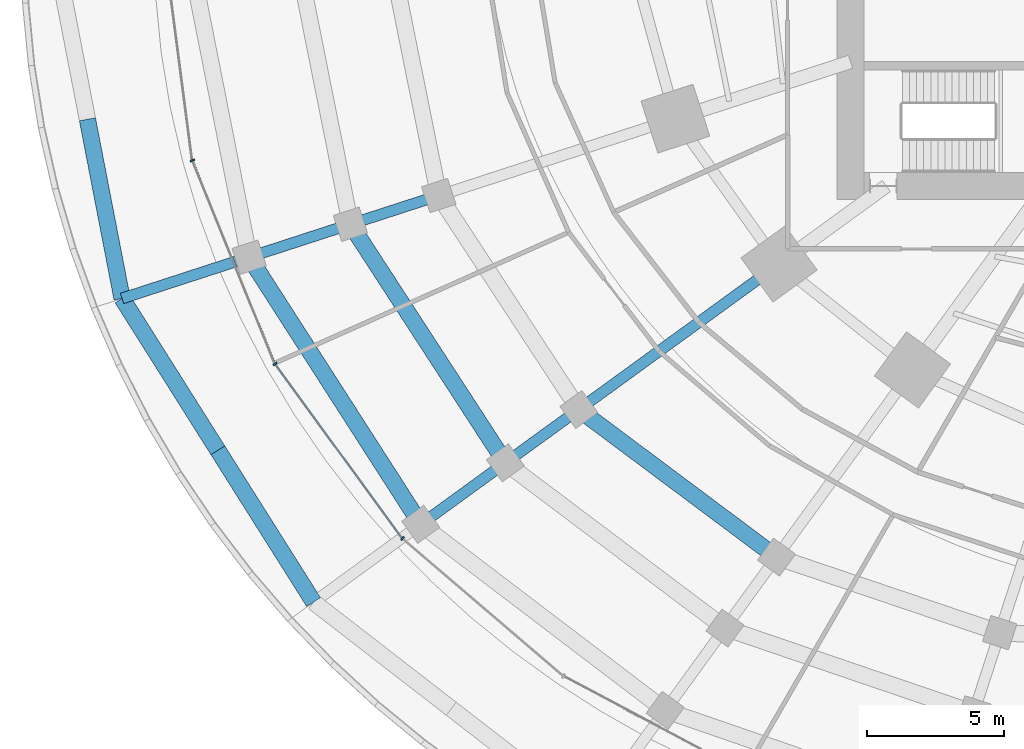
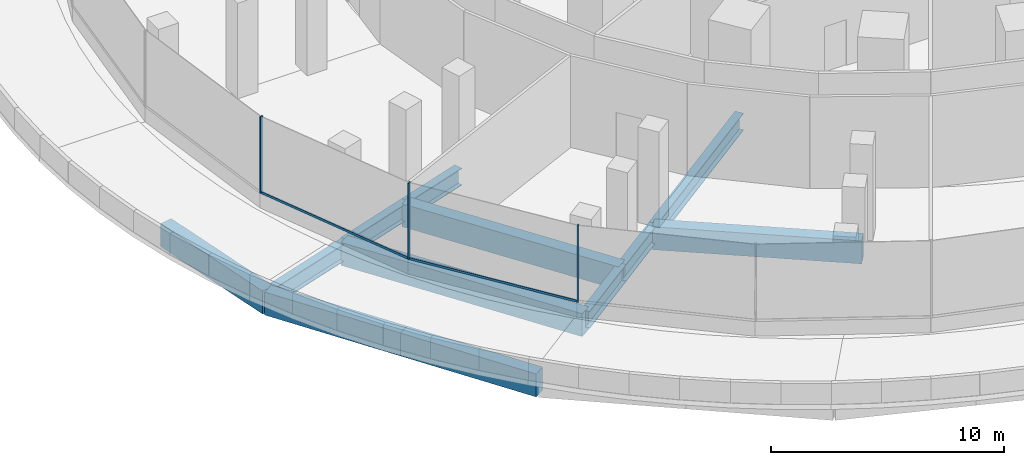
# One storey, part 3 of 31: 12 beams, 5 members, 1 element without a shape of its own.
"""IFC4 building model written with IfcOpenShell, lengths in metres."""

from ifc_helpers import new_model, si_unit, direction, frame, origin, origin_2d, place, context, subcontext, project, spatial, rectangle, i_section, extrude, material, material_profile, profile_set, type_object, element, aggregate, save


model = new_model("IFC4")

# Units and contexts
model_context = context("Model", 3, precision=1e-05, world=origin(), true_north=direction((0.0, 1.0)))
body_context = subcontext(model_context, "Body", "Model", "MODEL_VIEW")
ifc_project = project(units=[si_unit("LENGTHUNIT", "METRE"), si_unit("AREAUNIT", "SQUARE_METRE"), si_unit("VOLUMEUNIT", "CUBIC_METRE"), si_unit("PLANEANGLEUNIT", "RADIAN"), si_unit("MASSUNIT", "GRAM", prefix="KILO")], contexts=[model_context])

# Site, building, storey
site_placement = place(None, origin())
site = spatial("IfcSite", under=ifc_project, at=site_placement, CompositionType="ELEMENT")
building_placement = place(site_placement, origin())
building = spatial("IfcBuilding", under=site, at=building_placement, Name="Marramba Exchange Tower", CompositionType="ELEMENT")
storey_placement = place(building_placement, frame((0.0, 0.0, 5.60009765625)))
storey = spatial("IfcBuildingStorey", under=building, at=storey_placement, Name="L01", CompositionType="ELEMENT", Elevation=5.60009765625)

# Beams
ifc_material_1 = material(Name="Concrete N50", Category="concrete")
ifc_material_profile_1 = material_profile(ifc_material_1, rectangle(XDim=0.60009765625, YDim=1.199951171875, at=origin_2d()), Name="RC 600x1200")
ifc_profile_set_1 = profile_set([ifc_material_profile_1], Name="Concrete N50")
beam_type_1 = type_object("IfcBeamType", Name="Edge beam RC 600x1200 N50", PredefinedType="SPANDREL", material=ifc_profile_set_1)
beam_1_placement = place(storey_placement, frame((-41.631591796875, -6.557373046875, -0.85009765625), z_axis=(0.189898017432, -0.981803821023, 0.0), x_axis=(0.981803821023, 0.189898017432, 0.0)))
element("IfcBeam", 1, at=beam_1_placement, inside=storey, type_object=beam_type_1, Name="Edge beam L01 P0C11 half 2", PredefinedType="SPANDREL", context=body_context, shape_type="SweptSolid", body=[
    extrude(rectangle(XDim=0.60009765625, YDim=1.199951171875, at=origin_2d()), origin(), (0.0, 0.0, 1.0), 6.678955078125),
])
beam_2_placement = place(storey_placement, frame((-40.36328125, -13.11474609375, -0.85009765625), z_axis=(0.533440772983, -0.845837420383, 0.0), x_axis=(0.845837420383, 0.533440772983, 0.0)))
element("IfcBeam", 2, at=beam_2_placement, inside=storey, type_object=beam_type_1, Name="Edge beam L01 P0C12 half 1", PredefinedType="SPANDREL", context=body_context, shape_type="SweptSolid", body=[
    extrude(rectangle(XDim=0.60009765625, YDim=1.199951171875, at=origin_2d()), origin(), (0.0, 0.0, 1.0), 6.57177734375),
])
beam_3_placement = place(storey_placement, frame((-36.857666015625, -18.67333984375, -0.85009765625), z_axis=(0.533457535763, -0.845826848438, 0.0), x_axis=(0.845826848438, 0.533457535763, 0.0)))
element("IfcBeam", 3, at=beam_3_placement, inside=storey, type_object=beam_type_1, Name="Edge beam L01 P0C12 half 2", PredefinedType="SPANDREL", context=body_context, shape_type="SweptSolid", body=[
    extrude(rectangle(XDim=0.60009765625, YDim=1.199951171875, at=origin_2d()), origin(), (0.0, 0.0, 1.0), 6.571533203125),
])
beam_4_placement = place(storey_placement, frame((-35.712158203125, -11.603515625, -0.800048828125), z_axis=(0.540426316599, -0.841391345526, 0.0), x_axis=(0.841391345526, 0.540426316599, 0.0)))
element("IfcBeam", 4, at=beam_4_placement, inside=storey, type_object=beam_type_1, Name="Edge beam L01 P1C12", PredefinedType="SPANDREL", context=body_context, shape_type="SweptSolid", body=[
    extrude(rectangle(XDim=0.60009765625, YDim=1.199951171875, at=origin_2d()), origin(), (0.0, 0.0, 1.0), 11.622802734375),
])
beam_5_placement = place(storey_placement, frame((-32.005126953125, -10.399169921875, -0.800048828125), z_axis=(0.544797972412, -0.838567331379, 0.0), x_axis=(0.838567331379, 0.544797972412, 0.0)))
element("IfcBeam", 5, at=beam_5_placement, inside=storey, type_object=beam_type_1, Name="Edge beam L01 P2C12", PredefinedType="SPANDREL", context=body_context, shape_type="SweptSolid", body=[
    extrude(rectangle(XDim=0.60009765625, YDim=1.199951171875, at=origin_2d()), origin(), (0.0, 0.0, 1.0), 10.413330078125),
])
beam_6_placement = place(storey_placement, frame((-23.644775390625, -17.178955078125, -0.800048828125), z_axis=(0.801143536075, -0.598472250489, 0.0), x_axis=(0.598472250489, 0.801143536075, 0.0)))
element("IfcBeam", 6, at=beam_6_placement, inside=storey, type_object=beam_type_1, Name="Edge beam L01 P3C13", PredefinedType="SPANDREL", context=body_context, shape_type="SweptSolid", body=[
    extrude(rectangle(XDim=0.60009765625, YDim=1.199951171875, at=origin_2d()), origin(), (0.0, 0.0, 1.0), 9.0322265625),
])

# Curtain wall, members
ifc_material_2 = material(Name="Aluminium framing, bronze anodised", Category="aluminium")
curtain_wall_type = type_object("IfcCurtainWallType", Name="Podium ribbon curtain wall", PredefinedType="USERDEFINED", material=ifc_material_2)
curtain_wall_placement = place(storey_placement, origin())
curtain_wall = element("IfcCurtainWall", 7, at=curtain_wall_placement, inside=storey, type_object=curtain_wall_type, Name="Curtain wall CW2 L01 F16-F20", ObjectType="RIBBON CURTAIN WALL", PredefinedType="USERDEFINED")
ifc_material_3 = material(Name="Aluminium mullion, bronze anodised", Category="aluminium")
ifc_material_profile_2 = material_profile(ifc_material_3, rectangle(XDim=0.159912109375, YDim=0.06005859375, at=origin_2d()), Name="CW2 mullion 60x160")
ifc_profile_set_2 = profile_set([ifc_material_profile_2], Name="Aluminium mullion, bronze anodised")
member_type_1 = type_object("IfcMemberType", Name="Podium ribbon curtain wall mullion", PredefinedType="MULLION", material=ifc_profile_set_2)
member_1_placement = place(storey_placement, frame((-37.789794921875, -8.062744140625, 0.7998046875), z_axis=(0.0, 0.0, 1.0), x_axis=(0.926768984603, 0.375631800009, 0.0)))
member_1 = element("IfcMember", 8, at=member_1_placement, type_object=member_type_1, Name="CW2 mullion 1", PredefinedType="MULLION", context=body_context, shape_type="SweptSolid", body=[
    extrude(rectangle(XDim=0.159912109375, YDim=0.06005859375, at=origin_2d()), origin(), (0.0, 0.0, 1.0), 4.0),
])
member_2_placement = place(storey_placement, frame((-34.763671875, -15.509765625, 0.7998046875), z_axis=(0.0, 0.0, 1.0), x_axis=(0.808099827642, 0.589045557291, 0.0)))
member_2 = element("IfcMember", 9, at=member_2_placement, type_object=member_type_1, Name="CW2 mullion 1", PredefinedType="MULLION", context=body_context, shape_type="SweptSolid", body=[
    extrude(rectangle(XDim=0.159912109375, YDim=0.06005859375, at=origin_2d()), origin(), (0.0, 0.0, 1.0), 4.0),
])
member_3_placement = place(storey_placement, frame((-30.095703125, -21.90185546875, 0.7998046875), z_axis=(0.0, 0.0, 1.0), x_axis=(0.650654536613, 0.759373869701, 0.0)))
member_3 = element("IfcMember", 10, at=member_3_placement, type_object=member_type_1, Name="CW2 mullion 1", PredefinedType="MULLION", context=body_context, shape_type="SweptSolid", body=[
    extrude(rectangle(XDim=0.159912109375, YDim=0.06005859375, at=origin_2d()), origin(), (0.0, 0.0, 1.0), 4.0),
])
ifc_material_4 = material(Name="Aluminium transom, bronze anodised", Category="aluminium")
ifc_material_profile_3 = material_profile(ifc_material_4, rectangle(XDim=0.06005859375, YDim=0.1201171875, at=origin_2d()), Name="CW2 transom 60x120")
ifc_profile_set_3 = profile_set([ifc_material_profile_3], Name="Aluminium transom, bronze anodised")
member_type_2 = type_object("IfcMemberType", Name="Podium ribbon curtain wall transom", PredefinedType="USERDEFINED", material=ifc_profile_set_3)
member_4_placement = place(storey_placement, frame((-37.778564453125, -8.090576171875, 0.829833984375), z_axis=(0.375633376645, -0.92676834557, 0.0), x_axis=(0.92676834557, 0.375633376645, 0.0)))
member_4 = element("IfcMember", 11, at=member_4_placement, type_object=member_type_2, Name="CW2 sill transom", ObjectType="TRANSOM", PredefinedType="USERDEFINED", context=body_context, shape_type="SweptSolid", body=[
    extrude(rectangle(XDim=0.06005859375, YDim=0.1201171875, at=origin_2d()), origin(), (0.0, 0.0, 1.0), 7.979248046875),
])
member_5_placement = place(storey_placement, frame((-34.745849609375, -15.5341796875, 0.829833984375), z_axis=(0.589054637362, -0.808093208858, 0.0), x_axis=(0.808093208858, 0.589054637362, 0.0)))
member_5 = element("IfcMember", 12, at=member_5_placement, type_object=member_type_2, Name="CW2 sill transom", ObjectType="TRANSOM", PredefinedType="USERDEFINED", context=body_context, shape_type="SweptSolid", body=[
    extrude(rectangle(XDim=0.06005859375, YDim=0.1201171875, at=origin_2d()), origin(), (0.0, 0.0, 1.0), 7.855712890625),
])
aggregate(curtain_wall, [member_1, member_4, member_2, member_5, member_3])

# Beams
ifc_material_5 = material(Name="Steel AS/NZS 3679.2 grade 300", Category="steel")
ifc_material_profile_4 = material_profile(ifc_material_5, i_section(OverallWidth=0.39990234375, OverallDepth=0.89990234375, WebThickness=0.01611328125, FlangeThickness=0.031982421875, at=origin_2d()), Name="900WB282")
ifc_profile_set_4 = profile_set([ifc_material_profile_4], Name="Steel AS/NZS 3679.2 grade 300")
beam_type_2 = type_object("IfcBeamType", Name="Radial girder 900WB282", PredefinedType="BEAM", material=ifc_profile_set_4)
beam_7_placement = place(storey_placement, frame((-40.36328125, -13.11474609375, -0.7001953125), z_axis=(0.951057178465, 0.309014956417, 0.0), x_axis=(-0.309014956417, 0.951057178465, 0.0)))
element("IfcBeam", 13, at=beam_7_placement, inside=storey, type_object=beam_type_2, Name="Radial girder L01 P0C12", PredefinedType="BEAM", context=body_context, shape_type="SweptSolid", body=[
    extrude(i_section(OverallWidth=0.39990234375, OverallDepth=0.89990234375, WebThickness=0.01611328125, FlangeThickness=0.031982421875, at=origin_2d()), origin(), (0.0, 0.0, 1.0), 4.890380859375),
])
beam_8_placement = place(storey_placement, frame((-35.712158203125, -11.603515625, -0.650146484375), z_axis=(0.95106720483, 0.308984096511, 0.0), x_axis=(-0.308984096511, 0.95106720483, 0.0)))
element("IfcBeam", 14, at=beam_8_placement, inside=storey, type_object=beam_type_2, Name="Radial girder L01 P1C12", PredefinedType="BEAM", context=body_context, shape_type="SweptSolid", body=[
    extrude(i_section(OverallWidth=0.39990234375, OverallDepth=0.89990234375, WebThickness=0.01611328125, FlangeThickness=0.031982421875, at=origin_2d()), origin(), (0.0, 0.0, 1.0), 3.897705078125),
])
beam_9_placement = place(storey_placement, frame((-29.430908203125, -21.3828125, -0.650146484375), z_axis=(0.809017124945, 0.587785072579, 0.0), x_axis=(-0.587785072579, 0.809017124945, 0.0)))
element("IfcBeam", 15, at=beam_9_placement, inside=storey, type_object=beam_type_2, Name="Radial girder L01 P1C13", PredefinedType="BEAM", context=body_context, shape_type="SweptSolid", body=[
    extrude(i_section(OverallWidth=0.39990234375, OverallDepth=0.89990234375, WebThickness=0.01611328125, FlangeThickness=0.031982421875, at=origin_2d()), origin(), (0.0, 0.0, 1.0), 3.830322265625),
])
beam_10_placement = place(storey_placement, frame((-32.005126953125, -10.399169921875, -0.650146484375), z_axis=(0.951060439376, 0.309004920114, 0.0), x_axis=(-0.309004920114, 0.951060439376, 0.0)))
element("IfcBeam", 16, at=beam_10_placement, inside=storey, type_object=beam_type_2, Name="Radial girder L01 P2C12", PredefinedType="BEAM", context=body_context, shape_type="SweptSolid", body=[
    extrude(i_section(OverallWidth=0.39990234375, OverallDepth=0.89990234375, WebThickness=0.01611328125, FlangeThickness=0.031982421875, at=origin_2d()), origin(), (0.0, 0.0, 1.0), 3.4013671875),
])
beam_11_placement = place(storey_placement, frame((-26.33203125, -19.13134765625, -0.650146484375), z_axis=(0.809018867973, 0.587782673497, 0.0), x_axis=(-0.587782673497, 0.809018867973, 0.0)))
element("IfcBeam", 17, at=beam_11_placement, inside=storey, type_object=beam_type_2, Name="Radial girder L01 P2C13", PredefinedType="BEAM", context=body_context, shape_type="SweptSolid", body=[
    extrude(i_section(OverallWidth=0.39990234375, OverallDepth=0.89990234375, WebThickness=0.01611328125, FlangeThickness=0.031982421875, at=origin_2d()), origin(), (0.0, 0.0, 1.0), 3.321533203125),
])
beam_12_placement = place(storey_placement, frame((-23.644775390625, -17.178955078125, -0.650146484375), z_axis=(0.809011012896, 0.587793485004, 0.0), x_axis=(-0.587793485004, 0.809011012896, 0.0)))
element("IfcBeam", 18, at=beam_12_placement, inside=storey, type_object=beam_type_2, Name="Radial girder L01 P3C13", PredefinedType="BEAM", context=body_context, shape_type="SweptSolid", body=[
    extrude(i_section(OverallWidth=0.39990234375, OverallDepth=0.89990234375, WebThickness=0.01611328125, FlangeThickness=0.031982421875, at=origin_2d()), origin(), (0.0, 0.0, 1.0), 9.0595703125),
])

save(model, "model.ifc")
